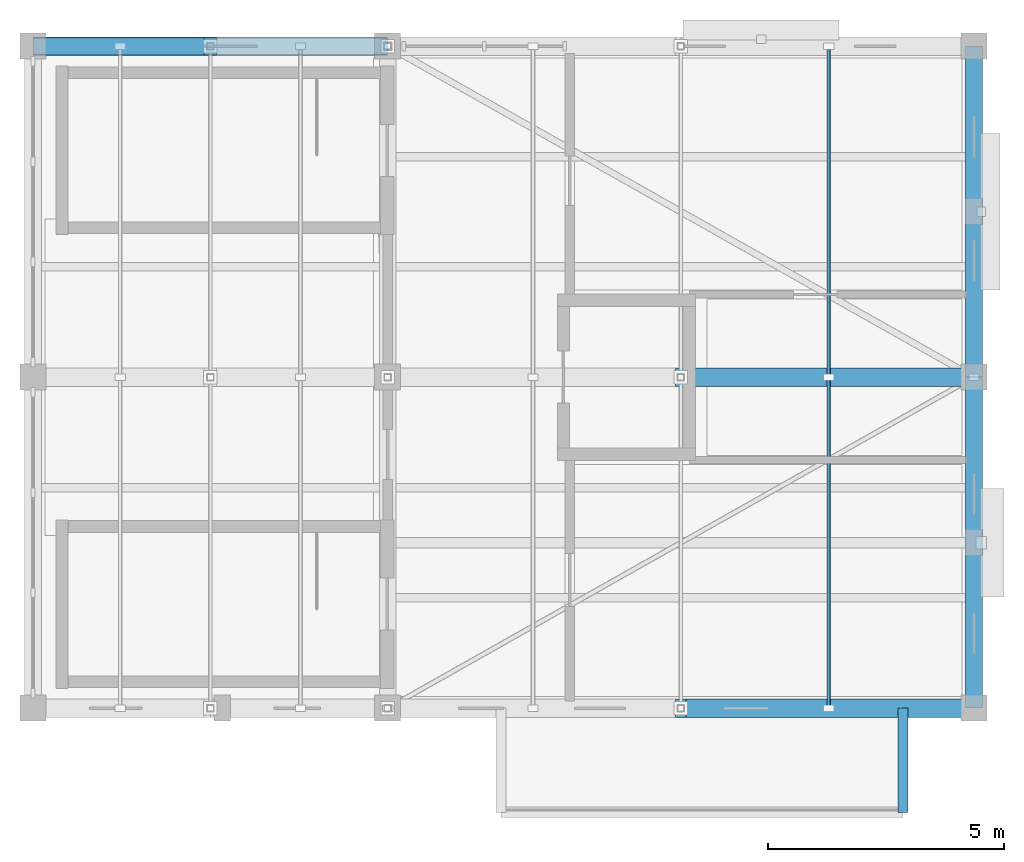
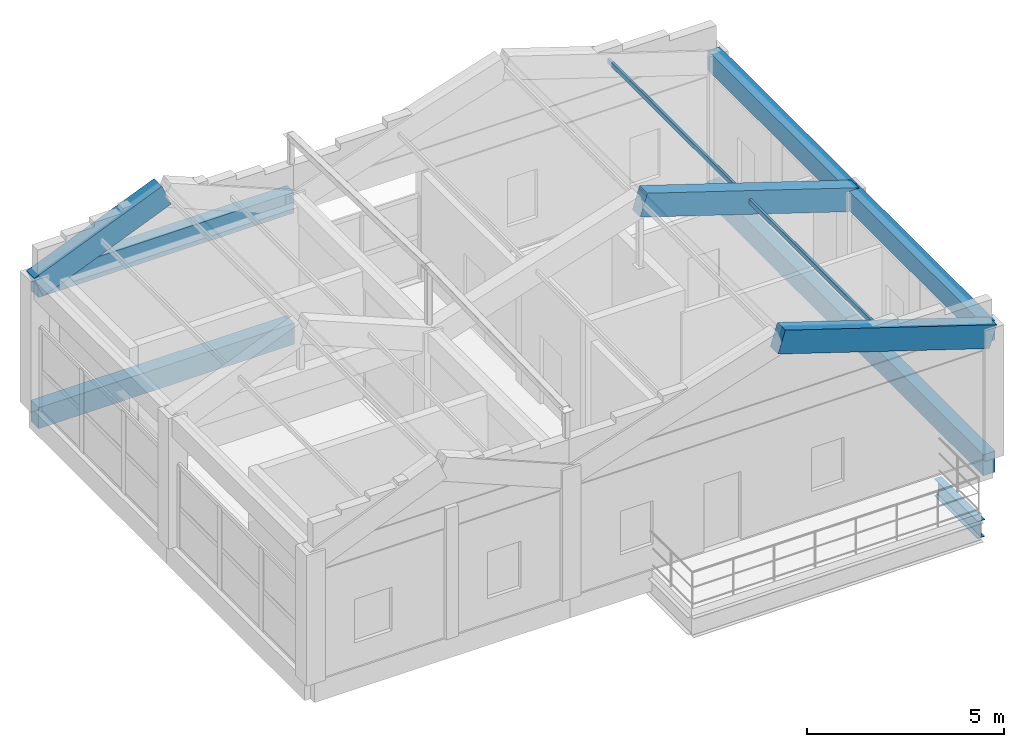
# One storey, part 4 of 8: 7 beams, 5 members.
"""IFC4 building model written with IfcOpenShell, lengths in metres."""

from ifc_helpers import new_model, si_unit, direction, frame, origin, origin_2d, place, context, subcontext, project, spatial, rectangle, hollow_rectangle, i_section, extrude, material, material_profile, profile_set, type_object, element, save


model = new_model("IFC4")

# Units and contexts
model_context = context("Model", 3, precision=1e-05, world=origin(), true_north=direction((0.0, 1.0)))
body_context = subcontext(model_context, "Body", "Model", "MODEL_VIEW")
ifc_project = project(units=[si_unit("LENGTHUNIT", "METRE"), si_unit("AREAUNIT", "SQUARE_METRE"), si_unit("VOLUMEUNIT", "CUBIC_METRE"), si_unit("PLANEANGLEUNIT", "RADIAN"), si_unit("MASSUNIT", "GRAM", prefix="KILO")], contexts=[model_context])

# Site, building, storey
site_placement = place(None, origin())
site = spatial("IfcSite", under=ifc_project, at=site_placement, CompositionType="ELEMENT")
building_placement = place(site_placement, origin())
building = spatial("IfcBuilding", under=site, at=building_placement, Name="Trellovar Central Fire Station", CompositionType="ELEMENT")
storey_placement = place(building_placement, frame((0.0, 0.0, 22.050048828125)))
storey = spatial("IfcBuildingStorey", under=building, at=storey_placement, Name="L06", CompositionType="ELEMENT", Elevation=22.050048828125)

# Beams
ifc_material_1 = material(Name="Concrete C40/50", Category="concrete")
ifc_material_profile_1 = material_profile(ifc_material_1, rectangle(XDim=0.39990234375, YDim=0.64990234375, at=origin_2d()), Name="RC400X650")
ifc_profile_set_1 = profile_set([ifc_material_profile_1], Name="Concrete C40/50")
beam_type_1 = type_object("IfcBeamType", Name="BM-G4", PredefinedType="BEAM", material=ifc_profile_set_1)
beam_1_placement = place(storey_placement, frame((141.10009765625, 73.0, -0.324951171875), z_axis=(1.0, 0.0, 0.0), x_axis=(0.0, 1.0, 0.0)))
element("IfcBeam", 1, at=beam_1_placement, inside=storey, type_object=beam_type_1, Name="L06 beam G-4", PredefinedType="BEAM", context=body_context, shape_type="SweptSolid", body=[
    extrude(rectangle(XDim=0.39990234375, YDim=0.64990234375, at=origin_2d()), origin(), (0.0, 0.0, 1.0), 7.5),
])
ifc_material_2 = material(Name="Concrete C40/50", Category="concrete")
ifc_material_profile_2 = material_profile(ifc_material_2, rectangle(XDim=0.35009765625, YDim=0.64990234375, at=origin_2d()), Name="RC350X650")
ifc_profile_set_2 = profile_set([ifc_material_profile_2], Name="Concrete C40/50")
beam_type_2 = type_object("IfcBeamType", Name="BM-G5", PredefinedType="BEAM", material=ifc_profile_set_2)
for number, where, z_axis, x_axis, name in (
    (2, (161.0, 59.0, -0.324951171875), (0.0, 1.0, 0.0), (-1.0, 0.0, 0.0), "L06 beam G-5"),
    (3, (161.0, 66.0, -0.324951171875), (0.0, 1.0, 0.0), (-1.0, 0.0, 0.0), "L06 beam G-5"),
):
    element("IfcBeam", number, at=place(storey_placement, frame(where, z_axis=z_axis, x_axis=x_axis)), inside=storey, type_object=beam_type_2, Name=name, PredefinedType="BEAM", context=body_context, shape_type="SweptSolid", body=[
        extrude(rectangle(XDim=0.35009765625, YDim=0.64990234375, at=origin_2d()), origin(), (0.0, 0.0, 1.0), 7.0),
    ])
beam_2_placement = place(storey_placement, frame((141.10009765625, 73.0, 3.724853515625), z_axis=(1.0, 0.0, 0.0), x_axis=(0.0, 1.0, 0.0)))
element("IfcBeam", 4, at=beam_2_placement, inside=storey, type_object=beam_type_2, Name="L06 beam G-5", PredefinedType="BEAM", context=body_context, shape_type="SweptSolid", body=[
    extrude(rectangle(XDim=0.35009765625, YDim=0.64990234375, at=origin_2d()), origin(), (0.0, 0.0, 1.0), 7.5),
])
ifc_material_3 = material(Name="Concrete C40/50", Category="concrete")
ifc_material_profile_3 = material_profile(ifc_material_3, rectangle(XDim=0.35009765625, YDim=0.60009765625, at=origin_2d()), Name="RC350X600")
ifc_profile_set_3 = profile_set([ifc_material_profile_3], Name="Concrete C40/50")
beam_type_3 = type_object("IfcBeamType", Name="BM-G6", PredefinedType="BEAM", material=ifc_profile_set_3)
for number, where, z_axis, x_axis, name in (
    (5, (161.0, 59.0, 3.75), (0.0, 1.0, 0.0), (-1.0, 0.0, 0.0), "L06 beam G-6"),
    (6, (161.0, 66.0, 3.75), (0.0, 1.0, 0.0), (-1.0, 0.0, 0.0), "L06 beam G-6"),
):
    element("IfcBeam", number, at=place(storey_placement, frame(where, z_axis=z_axis, x_axis=x_axis)), inside=storey, type_object=beam_type_3, Name=name, PredefinedType="BEAM", context=body_context, shape_type="SweptSolid", body=[
        extrude(rectangle(XDim=0.35009765625, YDim=0.60009765625, at=origin_2d()), origin(), (0.0, 0.0, 1.0), 7.0),
    ])
ifc_material_4 = material(Name="Steel ASTM A992 Grade 50", Category="steel")
ifc_material_profile_4 = material_profile(ifc_material_4, i_section(OverallWidth=0.209228515625, OverallDepth=0.533447265625, WebThickness=0.01025390625, FlangeThickness=0.015625, FilletRadius=0.013916015625, at=origin_2d()), Name="W21X62")
ifc_profile_set_4 = profile_set([ifc_material_profile_4], Name="Steel ASTM A992 Grade 50")
beam_type_4 = type_object("IfcBeamType", Name="BM-SW7", PredefinedType="BEAM", material=ifc_profile_set_4)
beam_3_placement = place(storey_placement, frame((159.5, 56.800048828125, -0.496826171875), z_axis=(0.0, 1.0, 0.0), x_axis=(-1.0, 0.0, 0.0)))
element("IfcBeam", 7, at=beam_3_placement, inside=storey, type_object=beam_type_4, Name="V2 L06 balcony tie beam", PredefinedType="BEAM", context=body_context, shape_type="SweptSolid", body=[
    extrude(i_section(OverallWidth=0.209228515625, OverallDepth=0.533447265625, WebThickness=0.01025390625, FlangeThickness=0.015625, FilletRadius=0.013916015625, at=origin_2d()), origin(), (0.0, 0.0, 1.0), 2.199951171875),
])

# Members
ifc_material_5 = material(Name="Concrete C40/50", Category="concrete")
ifc_material_profile_5 = material_profile(ifc_material_5, rectangle(XDim=0.39990234375, YDim=0.699951171875, at=origin_2d()), Name="RC400X700")
ifc_profile_set_5 = profile_set([ifc_material_profile_5], Name="Concrete C40/50")
member_type_1 = type_object("IfcMemberType", Name="MEM-LR1", PredefinedType="CHORD", material=ifc_profile_set_5)
member_placement = place(storey_placement, frame((141.10009765625, 73.0, 3.72998046875), z_axis=(0.924162631586, 0.0, 0.381999254423), x_axis=(0.0, 1.0, 0.0)))
element("IfcMember", 8, at=member_placement, inside=storey, type_object=member_type_1, Name="V2W Catalan vault rib 1 chord 1", PredefinedType="CHORD", context=body_context, shape_type="SweptSolid", body=[
    extrude(rectangle(XDim=0.39990234375, YDim=0.699951171875, at=origin_2d()), origin(), (0.0, 0.0, 1.0), 4.0576171875),
])
for number, where, z_axis, x_axis, name in (
    (9, (154.800048828125, 59.0, 5.72998046875), (0.951707911327, 0.0, -0.30700496986), (0.0, 1.0, 0.0), "V2E Catalan vault rib 1 chord 2"),
    (10, (154.800048828125, 66.0, 5.72998046875), (0.951707911327, 0.0, -0.30700496986), (0.0, 1.0, 0.0), "V2E Catalan vault rib 1 chord 2"),
):
    element("IfcMember", number, at=place(storey_placement, frame(where, z_axis=z_axis, x_axis=x_axis)), inside=storey, type_object=member_type_1, Name=name, PredefinedType="CHORD", context=body_context, shape_type="SweptSolid", body=[
        extrude(rectangle(XDim=0.39990234375, YDim=0.699951171875, at=origin_2d()), origin(), (0.0, 0.0, 1.0), 6.5146484375),
    ])
ifc_material_6 = material(Name="Steel ASTM A500 Grade C", Category="steel")
ifc_material_profile_6 = material_profile(ifc_material_6, hollow_rectangle(XDim=0.076171875, YDim=0.15234375, WallThickness=0.005859375, InnerFilletRadius=0.005859375, OuterFilletRadius=0.01171875, at=origin_2d()), Name="HSS6X3X1/4")
ifc_profile_set_6 = profile_set([ifc_material_profile_6], Name="Steel ASTM A500 Grade C")
member_type_2 = type_object("IfcMemberType", Name="MEM-PU2", PredefinedType="PURLIN", material=ifc_profile_set_6)
for number, where, z_axis, x_axis, name in (
    (11, (157.926025390625, 59.0, 4.761474609375), (0.0, 1.0, 0.0), (-1.0, 0.0, 0.0), "V2E vault purlin 1-2"),
    (12, (157.926025390625, 66.0, 4.761474609375), (0.0, 1.0, 0.0), (-1.0, 0.0, 0.0), "V2E vault purlin 1-2"),
):
    element("IfcMember", number, at=place(storey_placement, frame(where, z_axis=z_axis, x_axis=x_axis)), inside=storey, type_object=member_type_2, Name=name, PredefinedType="PURLIN", context=body_context, shape_type="SweptSolid", body=[
        extrude(hollow_rectangle(XDim=0.076171875, YDim=0.15234375, WallThickness=0.005859375, InnerFilletRadius=0.005859375, OuterFilletRadius=0.01171875, at=origin_2d()), origin(), (0.0, 0.0, 1.0), 7.0),
    ])

save(model, "model.ifc")
